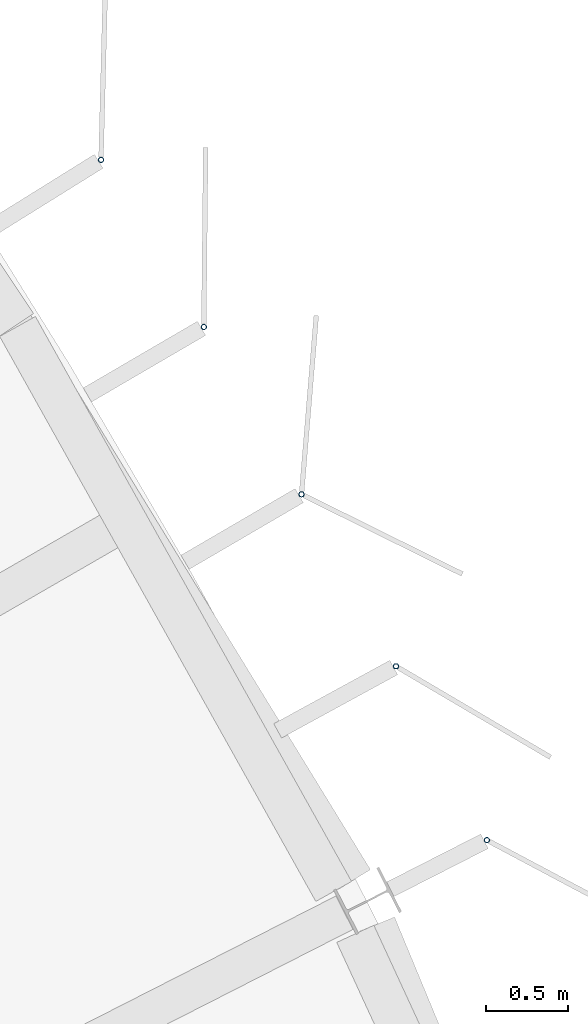
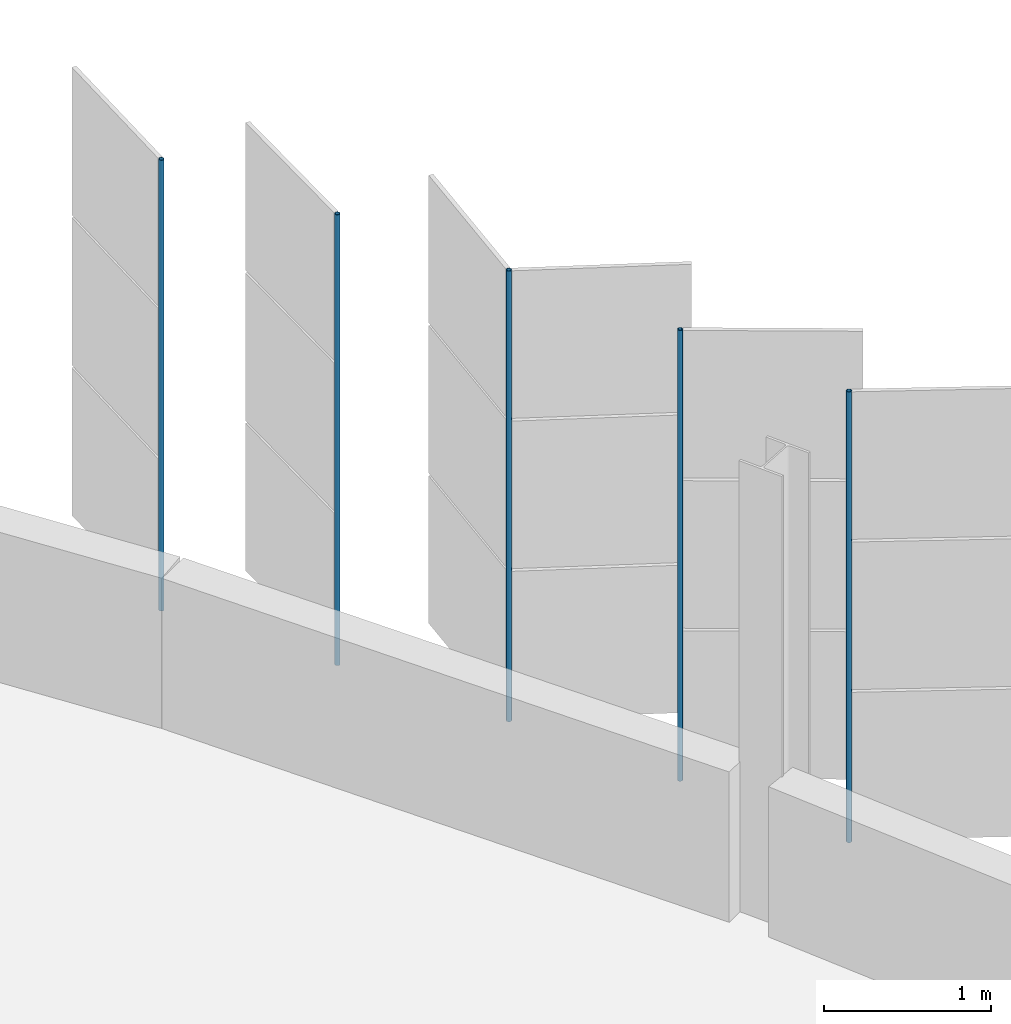
# One storey, part 143 of 214: 5 discrete accessories.
"""IFC4 building model written with IfcOpenShell, lengths in metres."""

import ifcopenshell
import ifcopenshell.guid

model = None  # the IFC model being written
_history = None  # IfcOwnerHistory: only IFC2X3 demands one
_inside = {}  # id of a spatial element -> (the spatial element, [elements in it])
_under = {}  # id of a project, library or spatial element -> (it, [spatial elements below it])
_declared = {}  # id of a project -> (the project, [libraries it declares])
_typed = {}  # id of a type object -> (the type object, [elements of that type])
_made_of = {}  # id of a material, layer set ... -> (it, [elements and type objects made of it])


def new_model(schema):
    """Start an empty IFC model of exactly this schema.

    Asked for "IFC4X3", IfcOpenShell would pick the latest addendum, in which some entities
    have other attributes; the version numbers below select the first issue.
    IFC2X3 requires an IfcOwnerHistory on every rooted entity: one is made here for all.
    """
    global model, _history
    if schema == "IFC4X3":
        model = ifcopenshell.file(schema_version=(4, 3, 0, 0))
    else:
        model = ifcopenshell.file(schema=schema)
    _inside.clear()
    _under.clear()
    _declared.clear()
    _typed.clear()
    _made_of.clear()
    _history = None
    if model.schema == "IFC2X3":
        org = make("IfcOrganization", Name="unknown")
        user = make(
            "IfcPersonAndOrganization",
            ThePerson=make("IfcPerson", FamilyName="unknown"),
            TheOrganization=org,
        )
        app = make(
            "IfcApplication",
            ApplicationDeveloper=org,
            Version="unknown",
            ApplicationFullName="unknown",
            ApplicationIdentifier="unknown",
        )
        _history = make(
            "IfcOwnerHistory",
            OwningUser=user,
            OwningApplication=app,
            ChangeAction="ADDED",
            CreationDate=0,
        )
    return model


def make(cls, **values):
    """One entity of the class cls with the attributes given. An attribute that is None is left unset."""
    return model.create_entity(
        cls, **{name: value for name, value in values.items() if value is not None}
    )


def rooted(cls, **values):
    """An entity with a GlobalId (a new one), such as an element, a storey or a relation."""
    return make(cls, GlobalId=ifcopenshell.guid.new(), OwnerHistory=_history, **values)


def si_unit(unit_type, name, prefix=None):
    """IfcSIUnit, for example si_unit("LENGTHUNIT", "METRE", prefix="MILLI")."""
    return make("IfcSIUnit", UnitType=unit_type, Prefix=prefix, Name=name)


def assignment(units):
    """IfcUnitAssignment: the units of a project."""
    return None if units is None else make("IfcUnitAssignment", Units=units)


def point(xyz):
    """IfcCartesianPoint."""
    return None if xyz is None else make("IfcCartesianPoint", Coordinates=xyz)


def direction(xyz):
    """IfcDirection."""
    return None if xyz is None else make("IfcDirection", DirectionRatios=xyz)


def frame(location, z_axis=None, x_axis=None):
    """IfcAxis2Placement3D, a coordinate frame: its origin and axes. An axis left out is left unset."""
    return make(
        "IfcAxis2Placement3D",
        Location=point(location),
        Axis=direction(z_axis),
        RefDirection=direction(x_axis),
    )


def frame_2d(location, x_axis=None):
    """IfcAxis2Placement2D, a coordinate frame in the plane: its origin and x axis."""
    return make(
        "IfcAxis2Placement2D", Location=point(location), RefDirection=direction(x_axis)
    )


def origin():
    """The frame at (0, 0, 0) with its axes left unset."""
    return frame((0.0, 0.0, 0.0))


def origin_2d():
    """The frame at (0, 0) in the plane with its x axis left unset."""
    return frame_2d((0.0, 0.0))


def place(relative_to, where):
    """IfcLocalPlacement: puts the frame where relative to a parent placement (None: the world)."""
    return make(
        "IfcLocalPlacement", PlacementRelTo=relative_to, RelativePlacement=where
    )


def context(
    kind, dimensions, precision=None, world=None, true_north=None, identifier=None
):
    """IfcGeometricRepresentationContext, for example the 3D "Model" context."""
    return make(
        "IfcGeometricRepresentationContext",
        ContextIdentifier=identifier,
        ContextType=kind,
        CoordinateSpaceDimension=dimensions,
        Precision=precision,
        WorldCoordinateSystem=world,
        TrueNorth=true_north,
    )


def subcontext(parent, identifier, kind, view, scale=None):
    """IfcGeometricRepresentationSubContext, for example "Body" below "Model"."""
    return make(
        "IfcGeometricRepresentationSubContext",
        ContextIdentifier=identifier,
        ContextType=kind,
        ParentContext=parent,
        TargetScale=scale,
        TargetView=view,
    )


def project(units=None, contexts=None):
    """IfcProject with its units and contexts."""
    return rooted(
        "IfcProject",
        Name="project",
        RepresentationContexts=contexts,
        UnitsInContext=assignment(units),
    )


def spatial(cls, under=None, at=None, **own):
    """A site, building, storey or space (cls), placed at a placement, below another one or the project."""
    s = rooted(cls, ObjectPlacement=at, **own)
    if under is not None:
        _under.setdefault(under.id(), (under, []))[1].append(s)
    return s


def profile(cls, at=None, kind="AREA", **sizes):
    """A parametric profile (cls). Its sizes go by their IFC names, for example OverallWidth=200.0."""
    return make(cls, ProfileType=kind, Position=at, **sizes)


def hollow_circle(**sizes):
    """IfcCircleHollowProfileDef."""
    return profile("IfcCircleHollowProfileDef", **sizes)


def extrude(swept, where, along, depth):
    """IfcExtrudedAreaSolid: the profile swept, set in the frame where, extruded along a direction by depth."""
    return make(
        "IfcExtrudedAreaSolid",
        SweptArea=swept,
        Position=where,
        ExtrudedDirection=direction(along),
        Depth=depth,
    )


def shape(context_of_items, identifier, shape_type, items):
    """IfcShapeRepresentation: the items that make up one representation, for example the "Body"."""
    return make(
        "IfcShapeRepresentation",
        ContextOfItems=context_of_items,
        RepresentationIdentifier=identifier,
        RepresentationType=shape_type,
        Items=items,
    )


def material(Name=None, Category=None):
    """IfcMaterial."""
    return make("IfcMaterial", Name=Name, Category=Category)


def material_profile(
    of_material, cross_section, Name=None, Category=None, Priority=None
):
    """IfcMaterialProfile: a cross section and its material."""
    return make(
        "IfcMaterialProfile",
        Name=Name,
        Material=of_material,
        Profile=cross_section,
        Priority=Priority,
        Category=Category,
    )


def profile_set(profiles, Name=None, composite=None):
    """IfcMaterialProfileSet."""
    return make(
        "IfcMaterialProfileSet",
        Name=Name,
        MaterialProfiles=profiles,
        CompositeProfile=composite,
    )


def made_of(thing, what):
    """Note that an element or type object is made of a material, layer set ...; save() writes the relation."""
    if what is not None:
        _made_of.setdefault(what.id(), (what, []))[1].append(thing)
    return thing


def type_object(cls, material=None, **own):
    """A type object (cls), such as IfcWallType, which elements share."""
    return made_of(rooted(cls, **own), material)


def element(
    cls,
    number,
    at=None,
    inside=None,
    cuts=None,
    type_object=None,
    material=None,
    context=None,
    identifier="Body",
    shape_type=None,
    held_by="IfcProductDefinitionShape",
    body=None,
    shapes=None,
    **own,
):
    """One element of the class cls, such as IfcWall. Its Tag is "e" and its number.

    at: its placement. inside: the storey or other place that contains it. cuts: it is an
    opening in that element (IfcRelVoidsElement). A single representation is given by context,
    identifier, shape_type and body (its items); several are given by shapes. held_by: the class
    of the entity that holds the representations. save() writes the other relations.
    """
    e = rooted(cls, Tag="e%d" % number, ObjectPlacement=at, **own)
    if body is not None:
        shapes = [shape(context, identifier, shape_type, body)]
    if shapes is not None:
        e.Representation = make(held_by, Representations=shapes)
    if inside is not None:
        _inside.setdefault(inside.id(), (inside, []))[1].append(e)
    if cuts is not None:
        rooted(
            "IfcRelVoidsElement", RelatingBuildingElement=cuts, RelatedOpeningElement=e
        )
    if type_object is not None:
        _typed.setdefault(type_object.id(), (type_object, []))[1].append(e)
    return made_of(e, material)


def aggregate(whole, parts):
    """IfcRelAggregates: a whole, such as a stair, and the parts it consists of."""
    return rooted("IfcRelAggregates", RelatingObject=whole, RelatedObjects=parts)


def save(model, path):
    """Write the relations noted so far, then the file.

    IfcRelAggregates (storeys below a building ...), IfcRelContainedInSpatialStructure (elements
    in a storey), IfcRelDefinesByType, IfcRelAssociatesMaterial and IfcRelDeclares: one each for
    every whole, place, type object, material and project.
    """
    for whole, parts in _under.values():
        aggregate(whole, parts)
    for where, things in _inside.values():
        rooted(
            "IfcRelContainedInSpatialStructure",
            RelatedElements=things,
            RelatingStructure=where,
        )
    for kind, things in _typed.values():
        rooted("IfcRelDefinesByType", RelatedObjects=things, RelatingType=kind)
    for what, things in _made_of.values():
        rooted("IfcRelAssociatesMaterial", RelatedObjects=things, RelatingMaterial=what)
    for by, libraries in _declared.values():
        rooted("IfcRelDeclares", RelatingContext=by, RelatedDefinitions=libraries)
    model.write(path)


model = new_model("IFC4")

# Units and contexts
model_context = context("Model", 3, precision=1e-05, world=origin(), true_north=direction((0.0, 1.0)))
body_context = subcontext(model_context, "Body", "Model", "MODEL_VIEW")
ifc_project = project(units=[si_unit("LENGTHUNIT", "METRE"), si_unit("AREAUNIT", "SQUARE_METRE"), si_unit("VOLUMEUNIT", "CUBIC_METRE"), si_unit("PLANEANGLEUNIT", "RADIAN"), si_unit("MASSUNIT", "GRAM", prefix="KILO")], contexts=[model_context])

# Site, building, storey
site_placement = place(None, origin())
site = spatial("IfcSite", under=ifc_project, at=site_placement, CompositionType="ELEMENT")
building_placement = place(site_placement, origin())
building = spatial("IfcBuilding", under=site, at=building_placement, Name="Parallax Yard Mobility Hub", CompositionType="ELEMENT")
storey_placement = place(building_placement, frame((0.0, 0.0, 3.300048828125)))
storey = spatial("IfcBuildingStorey", under=building, at=storey_placement, Name="L01", CompositionType="ELEMENT", Elevation=3.300048828125)

# Discrete accessories
ifc_material = material(Name="Steel ASTM A500 Gr C, hot-dip galvanised", Category="steel")
ifc_material_profile = material_profile(ifc_material, hollow_circle(Radius=0.016845703125, WallThickness=0.003173828125, at=origin_2d()), Name="CHS 33.7x3.2")
ifc_profile_set = profile_set([ifc_material_profile], Name="Steel ASTM A500 Gr C, hot-dip galvanised")
discrete_accessory_type = type_object("IfcDiscreteAccessoryType", Name="Hinge post CHS 33.7x3.2", PredefinedType="BRACKET", material=ifc_profile_set)
for number, where, z_axis, x_axis, name in (
    (1, (220.007080078125, 114.2060546875, 0.0), (0.0, 0.0, 1.0), (1.0, 0.0, 0.0), "Hinge post bay 44.1 level L01"),
    (2, (219.451416015625, 115.269287109375, 0.0), (0.0, 0.0, 1.0), (1.0, 0.0, 0.0), "Hinge post bay 44.2 level L01"),
    (3, (218.87353515625, 116.320556640625, 0.0), (0.0, 0.0, 1.0), (1.0, 0.0, 0.0), "Hinge post bay 44.3 level L01"),
    (4, (218.2763671875, 117.34375, 0.0), (0.0, 0.0, 1.0), (1.0, 0.0, 0.0), "Hinge post bay 44.4 level L01"),
    (5, (217.647705078125, 118.365478515625, 0.0), (0.0, 0.0, 1.0), (1.0, 0.0, 0.0), "Hinge post bay 44.5 level L01"),
):
    element("IfcDiscreteAccessory", number, at=place(storey_placement, frame(where, z_axis=z_axis, x_axis=x_axis)), inside=storey, type_object=discrete_accessory_type, Name=name, PredefinedType="BRACKET", context=body_context, shape_type="SweptSolid", body=[
        extrude(hollow_circle(Radius=0.016845703125, WallThickness=0.003173828125, at=origin_2d()), origin(), (0.0, 0.0, 1.0), 3.300048828125),
    ])

save(model, "model.ifc")
